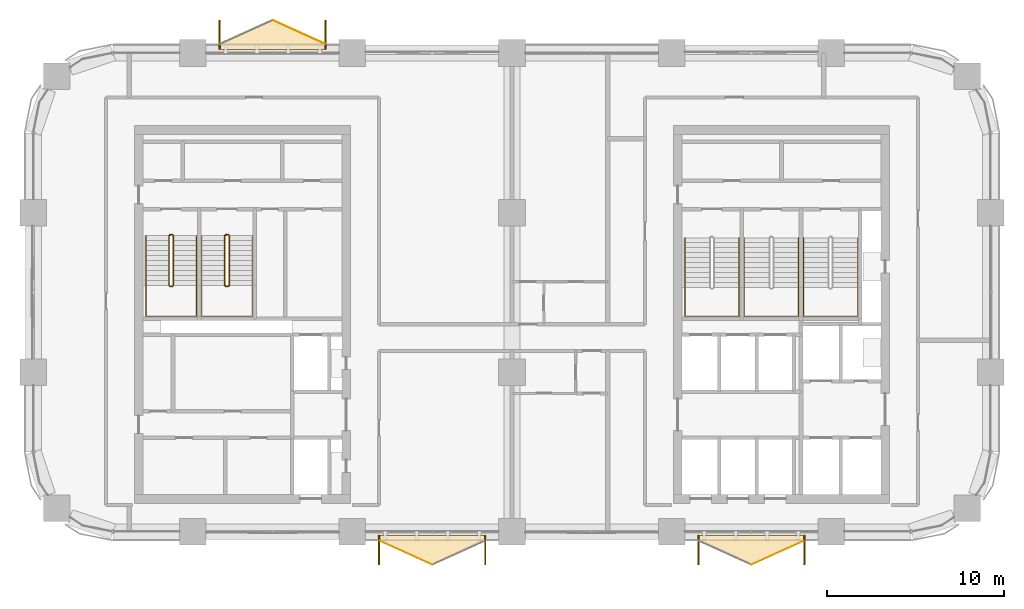
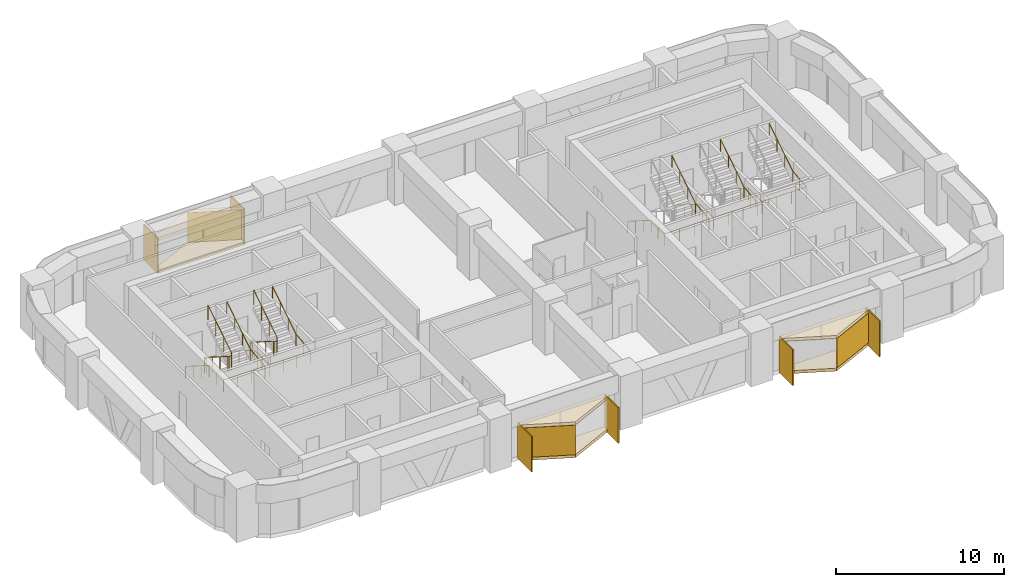
# One storey, part 12 of 13: 15 coverings, 7 railings.
"""IFC4 building model written with IfcOpenShell, lengths in metres."""

import ifcopenshell
import ifcopenshell.guid

model = None  # the IFC model being written
_history = None  # IfcOwnerHistory: only IFC2X3 demands one
_inside = {}  # id of a spatial element -> (the spatial element, [elements in it])
_under = {}  # id of a project, library or spatial element -> (it, [spatial elements below it])
_declared = {}  # id of a project -> (the project, [libraries it declares])
_typed = {}  # id of a type object -> (the type object, [elements of that type])
_made_of = {}  # id of a material, layer set ... -> (it, [elements and type objects made of it])


def new_model(schema):
    """Start an empty IFC model of exactly this schema.

    Asked for "IFC4X3", IfcOpenShell would pick the latest addendum, in which some entities
    have other attributes; the version numbers below select the first issue.
    IFC2X3 requires an IfcOwnerHistory on every rooted entity: one is made here for all.
    """
    global model, _history
    if schema == "IFC4X3":
        model = ifcopenshell.file(schema_version=(4, 3, 0, 0))
    else:
        model = ifcopenshell.file(schema=schema)
    _inside.clear()
    _under.clear()
    _declared.clear()
    _typed.clear()
    _made_of.clear()
    _history = None
    if model.schema == "IFC2X3":
        org = make("IfcOrganization", Name="unknown")
        user = make(
            "IfcPersonAndOrganization",
            ThePerson=make("IfcPerson", FamilyName="unknown"),
            TheOrganization=org,
        )
        app = make(
            "IfcApplication",
            ApplicationDeveloper=org,
            Version="unknown",
            ApplicationFullName="unknown",
            ApplicationIdentifier="unknown",
        )
        _history = make(
            "IfcOwnerHistory",
            OwningUser=user,
            OwningApplication=app,
            ChangeAction="ADDED",
            CreationDate=0,
        )
    return model


def make(cls, **values):
    """One entity of the class cls with the attributes given. An attribute that is None is left unset."""
    return model.create_entity(
        cls, **{name: value for name, value in values.items() if value is not None}
    )


def rooted(cls, **values):
    """An entity with a GlobalId (a new one), such as an element, a storey or a relation."""
    return make(cls, GlobalId=ifcopenshell.guid.new(), OwnerHistory=_history, **values)


def si_unit(unit_type, name, prefix=None):
    """IfcSIUnit, for example si_unit("LENGTHUNIT", "METRE", prefix="MILLI")."""
    return make("IfcSIUnit", UnitType=unit_type, Prefix=prefix, Name=name)


def assignment(units):
    """IfcUnitAssignment: the units of a project."""
    return None if units is None else make("IfcUnitAssignment", Units=units)


def point(xyz):
    """IfcCartesianPoint."""
    return None if xyz is None else make("IfcCartesianPoint", Coordinates=xyz)


def direction(xyz):
    """IfcDirection."""
    return None if xyz is None else make("IfcDirection", DirectionRatios=xyz)


def frame(location, z_axis=None, x_axis=None):
    """IfcAxis2Placement3D, a coordinate frame: its origin and axes. An axis left out is left unset."""
    return make(
        "IfcAxis2Placement3D",
        Location=point(location),
        Axis=direction(z_axis),
        RefDirection=direction(x_axis),
    )


def frame_2d(location, x_axis=None):
    """IfcAxis2Placement2D, a coordinate frame in the plane: its origin and x axis."""
    return make(
        "IfcAxis2Placement2D", Location=point(location), RefDirection=direction(x_axis)
    )


def origin():
    """The frame at (0, 0, 0) with its axes left unset."""
    return frame((0.0, 0.0, 0.0))


def origin_2d():
    """The frame at (0, 0) in the plane with its x axis left unset."""
    return frame_2d((0.0, 0.0))


def place(relative_to, where):
    """IfcLocalPlacement: puts the frame where relative to a parent placement (None: the world)."""
    return make(
        "IfcLocalPlacement", PlacementRelTo=relative_to, RelativePlacement=where
    )


def context(
    kind, dimensions, precision=None, world=None, true_north=None, identifier=None
):
    """IfcGeometricRepresentationContext, for example the 3D "Model" context."""
    return make(
        "IfcGeometricRepresentationContext",
        ContextIdentifier=identifier,
        ContextType=kind,
        CoordinateSpaceDimension=dimensions,
        Precision=precision,
        WorldCoordinateSystem=world,
        TrueNorth=true_north,
    )


def subcontext(parent, identifier, kind, view, scale=None):
    """IfcGeometricRepresentationSubContext, for example "Body" below "Model"."""
    return make(
        "IfcGeometricRepresentationSubContext",
        ContextIdentifier=identifier,
        ContextType=kind,
        ParentContext=parent,
        TargetScale=scale,
        TargetView=view,
    )


def project(units=None, contexts=None):
    """IfcProject with its units and contexts."""
    return rooted(
        "IfcProject",
        Name="project",
        RepresentationContexts=contexts,
        UnitsInContext=assignment(units),
    )


def spatial(cls, under=None, at=None, **own):
    """A site, building, storey or space (cls), placed at a placement, below another one or the project."""
    s = rooted(cls, ObjectPlacement=at, **own)
    if under is not None:
        _under.setdefault(under.id(), (under, []))[1].append(s)
    return s


def polyline(points):
    """IfcPolyline through the points."""
    return make("IfcPolyline", Points=[point(p) for p in points])


def profile(cls, at=None, kind="AREA", **sizes):
    """A parametric profile (cls). Its sizes go by their IFC names, for example OverallWidth=200.0."""
    return make(cls, ProfileType=kind, Position=at, **sizes)


def rectangle(**sizes):
    """IfcRectangleProfileDef."""
    return profile("IfcRectangleProfileDef", **sizes)


def circle(**sizes):
    """IfcCircleProfileDef."""
    return profile("IfcCircleProfileDef", **sizes)


def outline(outer, holes=None, kind="AREA"):
    """IfcArbitraryClosedProfileDef: a profile drawn as a closed curve; with holes, ...WithVoids."""
    if holes is None:
        return make("IfcArbitraryClosedProfileDef", ProfileType=kind, OuterCurve=outer)
    return make(
        "IfcArbitraryProfileDefWithVoids",
        ProfileType=kind,
        OuterCurve=outer,
        InnerCurves=holes,
    )


def extrude(swept, where, along, depth):
    """IfcExtrudedAreaSolid: the profile swept, set in the frame where, extruded along a direction by depth."""
    return make(
        "IfcExtrudedAreaSolid",
        SweptArea=swept,
        Position=where,
        ExtrudedDirection=direction(along),
        Depth=depth,
    )


def shape(context_of_items, identifier, shape_type, items):
    """IfcShapeRepresentation: the items that make up one representation, for example the "Body"."""
    return make(
        "IfcShapeRepresentation",
        ContextOfItems=context_of_items,
        RepresentationIdentifier=identifier,
        RepresentationType=shape_type,
        Items=items,
    )


def material(Name=None, Category=None):
    """IfcMaterial."""
    return make("IfcMaterial", Name=Name, Category=Category)


def layer(
    of_material, thickness, ventilated=None, Name=None, Category=None, Priority=None
):
    """IfcMaterialLayer: one layer of a wall or slab, of a material (None: an air gap)."""
    return make(
        "IfcMaterialLayer",
        Material=of_material,
        LayerThickness=thickness,
        IsVentilated=ventilated,
        Name=Name,
        Category=Category,
        Priority=Priority,
    )


def layer_set(layers, Name=None):
    """IfcMaterialLayerSet."""
    return make("IfcMaterialLayerSet", MaterialLayers=layers, LayerSetName=Name)


def made_of(thing, what):
    """Note that an element or type object is made of a material, layer set ...; save() writes the relation."""
    if what is not None:
        _made_of.setdefault(what.id(), (what, []))[1].append(thing)
    return thing


def type_object(cls, material=None, **own):
    """A type object (cls), such as IfcWallType, which elements share."""
    return made_of(rooted(cls, **own), material)


def element(
    cls,
    number,
    at=None,
    inside=None,
    cuts=None,
    type_object=None,
    material=None,
    context=None,
    identifier="Body",
    shape_type=None,
    held_by="IfcProductDefinitionShape",
    body=None,
    shapes=None,
    **own,
):
    """One element of the class cls, such as IfcWall. Its Tag is "e" and its number.

    at: its placement. inside: the storey or other place that contains it. cuts: it is an
    opening in that element (IfcRelVoidsElement). A single representation is given by context,
    identifier, shape_type and body (its items); several are given by shapes. held_by: the class
    of the entity that holds the representations. save() writes the other relations.
    """
    e = rooted(cls, Tag="e%d" % number, ObjectPlacement=at, **own)
    if body is not None:
        shapes = [shape(context, identifier, shape_type, body)]
    if shapes is not None:
        e.Representation = make(held_by, Representations=shapes)
    if inside is not None:
        _inside.setdefault(inside.id(), (inside, []))[1].append(e)
    if cuts is not None:
        rooted(
            "IfcRelVoidsElement", RelatingBuildingElement=cuts, RelatedOpeningElement=e
        )
    if type_object is not None:
        _typed.setdefault(type_object.id(), (type_object, []))[1].append(e)
    return made_of(e, material)


def aggregate(whole, parts):
    """IfcRelAggregates: a whole, such as a stair, and the parts it consists of."""
    return rooted("IfcRelAggregates", RelatingObject=whole, RelatedObjects=parts)


def save(model, path):
    """Write the relations noted so far, then the file.

    IfcRelAggregates (storeys below a building ...), IfcRelContainedInSpatialStructure (elements
    in a storey), IfcRelDefinesByType, IfcRelAssociatesMaterial and IfcRelDeclares: one each for
    every whole, place, type object, material and project.
    """
    for whole, parts in _under.values():
        aggregate(whole, parts)
    for where, things in _inside.values():
        rooted(
            "IfcRelContainedInSpatialStructure",
            RelatedElements=things,
            RelatingStructure=where,
        )
    for kind, things in _typed.values():
        rooted("IfcRelDefinesByType", RelatedObjects=things, RelatingType=kind)
    for what, things in _made_of.values():
        rooted("IfcRelAssociatesMaterial", RelatedObjects=things, RelatingMaterial=what)
    for by, libraries in _declared.values():
        rooted("IfcRelDeclares", RelatingContext=by, RelatedDefinitions=libraries)
    model.write(path)


model = new_model("IFC4")

# Units and contexts
model_context = context("Model", 3, precision=1e-05, world=origin(), true_north=direction((0.0, 1.0)))
body_context = subcontext(model_context, "Body", "Model", "MODEL_VIEW")
ifc_project = project(units=[si_unit("LENGTHUNIT", "METRE"), si_unit("AREAUNIT", "SQUARE_METRE"), si_unit("VOLUMEUNIT", "CUBIC_METRE"), si_unit("PLANEANGLEUNIT", "RADIAN"), si_unit("MASSUNIT", "GRAM", prefix="KILO")], contexts=[model_context])

# Site, building, storey
site_placement = place(None, origin())
site = spatial("IfcSite", under=ifc_project, at=site_placement, CompositionType="ELEMENT")
building_placement = place(site_placement, origin())
building = spatial("IfcBuilding", under=site, at=building_placement, Name="Tessera Arch", CompositionType="ELEMENT")
storey_placement = place(building_placement, frame((0.0, 0.0, 189.5)))
storey = spatial("IfcBuildingStorey", under=building, at=storey_placement, Name="L45", CompositionType="ELEMENT", Elevation=189.5)

# Railings
ifc_material_1 = material(Name="Painted steel balustrade", Category="steel")
railing_type_1 = type_object("IfcRailingType", Name="Stair guard 1100", PredefinedType="GUARDRAIL", material=ifc_material_1)
railing_1_placement = place(storey_placement, frame((7.699951171875, 43.75, 0.0)))
element("IfcRailing", 1, at=railing_1_placement, inside=storey, type_object=railing_type_1, Name="L45 S2a stair guard 1", PredefinedType="GUARDRAIL", context=body_context, shape_type="SweptSolid", body=[
    extrude(circle(Radius=0.02392578125, at=origin_2d()), frame((-0.00390625, 0.0, 1.076171875), z_axis=(1.0, 0.0, 0.0), x_axis=(0.0, 1.0, 0.0)), (0.0, 0.0, 1.0), 0.158203125),
    extrude(circle(Radius=0.02392578125, at=origin_2d()), frame((0.153076171875, 0.000732421875, 1.073486328125), z_axis=(-0.735936453418, -0.183984113355, 0.651573006319), x_axis=(0.242535625036, -0.970142500145, 0.0)), (0.0, 0.0, 1.0), 0.280029296875),
    extrude(circle(Radius=0.02392578125, at=origin_2d()), frame((-0.050048828125, -0.046630859375, 1.251220703125), z_axis=(0.0, -0.844908973607, 0.534910110503), x_axis=(1.0, 0.0, 0.0)), (0.0, 0.0, 1.0), 3.322021484375),
    extrude(circle(Radius=0.02392578125, at=origin_2d()), frame((-0.052978515625, -2.84716796875, 3.02587890625), z_axis=(0.708833529934, -0.705375805398, 0.0), x_axis=(0.705375805398, 0.708833529934, 0.0)), (0.0, 0.0, 1.0), 0.07861328125),
    extrude(circle(Radius=0.02392578125, at=origin_2d()), frame((-0.00390625, -2.89990234375, 3.02587890625), z_axis=(1.0, 0.0, 0.0), x_axis=(0.0, 1.0, 0.0)), (0.0, 0.0, 1.0), 0.158203125),
    extrude(circle(Radius=0.02392578125, at=origin_2d()), frame((0.149169921875, -2.90087890625, 3.022216796875), z_axis=(0.261129318932, 0.261129318932, 0.929313164433), x_axis=(-0.707106781187, 0.707106781187, 0.0)), (0.0, 0.0, 1.0), 0.19873046875),
    extrude(circle(Radius=0.02392578125, at=origin_2d()), frame((0.199951171875, -2.853515625, 3.201171875), z_axis=(0.0, 0.844908973607, 0.534910110503), x_axis=(-1.0, 0.0, 0.0)), (0.0, 0.0, 1.0), 3.322021484375),
    extrude(circle(Radius=0.02099609375, at=origin_2d()), origin(), (0.0, 0.0, 1.0), 1.06396484375),
    extrude(circle(Radius=0.02099609375, at=origin_2d()), frame((0.150146484375, 0.0, 0.0)), (0.0, 0.0, 1.0), 1.06396484375),
    extrude(circle(Radius=0.02099609375, at=origin_2d()), frame((-0.050048828125, -0.050048828125, 0.17724609375)), (0.0, 0.0, 1.0), 1.06396484375),
    extrude(circle(Radius=0.02099609375, at=origin_2d()), frame((-0.050048828125, -0.9833984375, 0.76806640625)), (0.0, 0.0, 1.0), 1.06396484375),
    extrude(circle(Radius=0.02099609375, at=origin_2d()), frame((-0.050048828125, -1.916748046875, 1.359130859375)), (0.0, 0.0, 1.0), 1.06396484375),
    extrude(circle(Radius=0.02099609375, at=origin_2d()), frame((-0.050048828125, -2.85009765625, 1.949951171875)), (0.0, 0.0, 1.0), 1.06396484375),
    extrude(circle(Radius=0.02099609375, at=origin_2d()), frame((0.0, -2.89990234375, 1.949951171875)), (0.0, 0.0, 1.0), 1.06396484375),
    extrude(circle(Radius=0.02099609375, at=origin_2d()), frame((0.150146484375, -2.89990234375, 1.949951171875)), (0.0, 0.0, 1.0), 1.06396484375),
    extrude(circle(Radius=0.02099609375, at=origin_2d()), frame((0.199951171875, -2.85009765625, 2.127197265625)), (0.0, 0.0, 1.0), 1.06396484375),
    extrude(circle(Radius=0.02099609375, at=origin_2d()), frame((0.199951171875, -1.916748046875, 2.718017578125)), (0.0, 0.0, 1.0), 1.06396484375),
    extrude(circle(Radius=0.02099609375, at=origin_2d()), frame((0.199951171875, -0.9833984375, 3.30908203125)), (0.0, 0.0, 1.0), 1.06396484375),
    extrude(circle(Radius=0.02099609375, at=origin_2d()), frame((0.199951171875, -0.050048828125, 3.89990234375)), (0.0, 0.0, 1.0), 1.06396484375),
])
railing_2_placement = place(storey_placement, frame((10.85009765625, 43.75, 0.0)))
element("IfcRailing", 2, at=railing_2_placement, inside=storey, type_object=railing_type_1, Name="L45 S2b stair guard 1", PredefinedType="GUARDRAIL", context=body_context, shape_type="SweptSolid", body=[
    extrude(circle(Radius=0.02392578125, at=origin_2d()), frame((-0.00390625, 0.0, 1.076171875), z_axis=(1.0, 0.0, 0.0), x_axis=(0.0, 1.0, 0.0)), (0.0, 0.0, 1.0), 0.157958984375),
    extrude(circle(Radius=0.02392578125, at=origin_2d()), frame((0.15283203125, 0.000732421875, 1.073486328125), z_axis=(-0.735524641326, -0.184105679453, 0.652003528208), x_axis=(0.242814311512, -0.970072785993, 0.0)), (0.0, 0.0, 1.0), 0.27978515625),
    extrude(circle(Radius=0.02392578125, at=origin_2d()), frame((-0.050048828125, -0.046630859375, 1.251220703125), z_axis=(0.0, -0.844908973607, 0.534910110503), x_axis=(1.0, 0.0, 0.0)), (0.0, 0.0, 1.0), 3.322021484375),
    extrude(circle(Radius=0.02392578125, at=origin_2d()), frame((-0.052978515625, -2.84716796875, 3.02587890625), z_axis=(0.708833529934, -0.705375805398, 0.0), x_axis=(0.705375805398, 0.708833529934, 0.0)), (0.0, 0.0, 1.0), 0.07861328125),
    extrude(circle(Radius=0.02392578125, at=origin_2d()), frame((-0.00390625, -2.89990234375, 3.02587890625), z_axis=(1.0, 0.0, 0.0), x_axis=(0.0, 1.0, 0.0)), (0.0, 0.0, 1.0), 0.157958984375),
    extrude(circle(Radius=0.02392578125, at=origin_2d()), frame((0.14892578125, -2.90087890625, 3.022216796875), z_axis=(0.262321481514, 0.261041864531, 0.929001929653), x_axis=(-0.705375805398, 0.708833529934, 0.0)), (0.0, 0.0, 1.0), 0.19873046875),
    extrude(circle(Radius=0.02392578125, at=origin_2d()), frame((0.199951171875, -2.853515625, 3.201171875), z_axis=(0.0, 0.844908973607, 0.534910110503), x_axis=(-1.0, 0.0, 0.0)), (0.0, 0.0, 1.0), 3.322021484375),
    extrude(circle(Radius=0.02099609375, at=origin_2d()), origin(), (0.0, 0.0, 1.0), 1.06396484375),
    extrude(circle(Radius=0.02099609375, at=origin_2d()), frame((0.14990234375, 0.0, 0.0)), (0.0, 0.0, 1.0), 1.06396484375),
    extrude(circle(Radius=0.02099609375, at=origin_2d()), frame((-0.050048828125, -0.050048828125, 0.17724609375)), (0.0, 0.0, 1.0), 1.06396484375),
    extrude(circle(Radius=0.02099609375, at=origin_2d()), frame((-0.050048828125, -0.9833984375, 0.76806640625)), (0.0, 0.0, 1.0), 1.06396484375),
    extrude(circle(Radius=0.02099609375, at=origin_2d()), frame((-0.050048828125, -1.916748046875, 1.359130859375)), (0.0, 0.0, 1.0), 1.06396484375),
    extrude(circle(Radius=0.02099609375, at=origin_2d()), frame((-0.050048828125, -2.85009765625, 1.949951171875)), (0.0, 0.0, 1.0), 1.06396484375),
    extrude(circle(Radius=0.02099609375, at=origin_2d()), frame((0.0, -2.89990234375, 1.949951171875)), (0.0, 0.0, 1.0), 1.06396484375),
    extrude(circle(Radius=0.02099609375, at=origin_2d()), frame((0.14990234375, -2.89990234375, 1.949951171875)), (0.0, 0.0, 1.0), 1.06396484375),
    extrude(circle(Radius=0.02099609375, at=origin_2d()), frame((0.199951171875, -2.85009765625, 2.127197265625)), (0.0, 0.0, 1.0), 1.06396484375),
    extrude(circle(Radius=0.02099609375, at=origin_2d()), frame((0.199951171875, -1.916748046875, 2.718017578125)), (0.0, 0.0, 1.0), 1.06396484375),
    extrude(circle(Radius=0.02099609375, at=origin_2d()), frame((0.199951171875, -0.9833984375, 3.30908203125)), (0.0, 0.0, 1.0), 1.06396484375),
    extrude(circle(Radius=0.02099609375, at=origin_2d()), frame((0.199951171875, -0.050048828125, 3.89990234375)), (0.0, 0.0, 1.0), 1.06396484375),
])
ifc_material_2 = material(Name="Painted steel handrail", Category="steel")
railing_type_2 = type_object("IfcRailingType", Name="Stair handrail 900", PredefinedType="HANDRAIL", material=ifc_material_2)
railing_3_placement = place(storey_placement, frame((36.75, 43.580078125, 0.17724609375)))
element("IfcRailing", 3, at=railing_3_placement, inside=storey, type_object=railing_type_2, Name="L45 S1a stair handrail", PredefinedType="HANDRAIL", context=body_context, shape_type="SweptSolid", body=[
    extrude(circle(Radius=0.02392578125, at=origin_2d()), frame((0.0, 0.00341796875, 0.873779296875), z_axis=(0.0, -0.844908973607, 0.534910110503), x_axis=(1.0, 0.0, 0.0)), (0.0, 0.0, 1.0), 3.322021484375),
    extrude(circle(Radius=0.02392578125, at=origin_2d()), frame((0.0, -2.796142578125, 2.6484375), z_axis=(0.0, -1.0, 0.0), x_axis=(1.0, 0.0, 0.0)), (0.0, 0.0, 1.0), 1.63818359375),
    extrude(circle(Radius=0.02392578125, at=origin_2d()), frame((-0.00390625, -4.43017578125, 2.6484375), z_axis=(1.0, 0.0, 0.0), x_axis=(0.0, 1.0, 0.0)), (0.0, 0.0, 1.0), 3.05810546875),
    extrude(circle(Radius=0.02392578125, at=origin_2d()), frame((3.050048828125, -4.43408203125, 2.648193359375), z_axis=(0.0, 0.994140637614, 0.108094369164), x_axis=(-1.0, 0.0, 0.0)), (0.0, 0.0, 1.0), 1.647705078125),
    extrude(circle(Radius=0.02392578125, at=origin_2d()), frame((3.050048828125, -2.803466796875, 2.82373046875), z_axis=(0.0, 0.844908973607, 0.534910110503), x_axis=(-1.0, 0.0, 0.0)), (0.0, 0.0, 1.0), 3.322021484375),
    extrude(circle(Radius=0.02099609375, at=origin_2d()), origin(), (0.0, 0.0, 1.0), 0.86376953125),
    extrude(circle(Radius=0.02099609375, at=origin_2d()), frame((0.0, -0.933349609375, 0.5908203125)), (0.0, 0.0, 1.0), 0.86376953125),
    extrude(circle(Radius=0.02099609375, at=origin_2d()), frame((0.0, -1.86669921875, 1.181884765625)), (0.0, 0.0, 1.0), 0.86376953125),
    extrude(circle(Radius=0.02099609375, at=origin_2d()), frame((0.0, -2.800048828125, 1.772705078125)), (0.0, 0.0, 1.0), 0.86376953125),
    extrude(circle(Radius=0.02099609375, at=origin_2d()), frame((0.0, -3.615234375, 1.772705078125)), (0.0, 0.0, 1.0), 0.86376953125),
    extrude(circle(Radius=0.02099609375, at=origin_2d()), frame((0.0, -4.43017578125, 1.772705078125)), (0.0, 0.0, 1.0), 0.86376953125),
    extrude(circle(Radius=0.02099609375, at=origin_2d()), frame((1.0166015625, -4.43017578125, 1.772705078125)), (0.0, 0.0, 1.0), 0.86376953125),
    extrude(circle(Radius=0.02099609375, at=origin_2d()), frame((2.033447265625, -4.43017578125, 1.772705078125)), (0.0, 0.0, 1.0), 0.86376953125),
    extrude(circle(Radius=0.02099609375, at=origin_2d()), frame((3.050048828125, -4.43017578125, 1.772705078125)), (0.0, 0.0, 1.0), 0.86376953125),
    extrude(circle(Radius=0.02099609375, at=origin_2d()), frame((3.050048828125, -3.615234375, 1.861328125)), (0.0, 0.0, 1.0), 0.86376953125),
    extrude(circle(Radius=0.02099609375, at=origin_2d()), frame((3.050048828125, -2.800048828125, 1.949951171875)), (0.0, 0.0, 1.0), 0.86376953125),
    extrude(circle(Radius=0.02099609375, at=origin_2d()), frame((3.050048828125, -1.86669921875, 2.540771484375)), (0.0, 0.0, 1.0), 0.86376953125),
    extrude(circle(Radius=0.02099609375, at=origin_2d()), frame((3.050048828125, -0.933349609375, 3.1318359375)), (0.0, 0.0, 1.0), 0.86376953125),
    extrude(circle(Radius=0.02099609375, at=origin_2d()), frame((3.050048828125, 0.0, 3.72265625)), (0.0, 0.0, 1.0), 0.86376953125),
])
railing_4_placement = place(storey_placement, frame((40.10009765625, 43.580078125, 0.17724609375)))
element("IfcRailing", 4, at=railing_4_placement, inside=storey, type_object=railing_type_2, Name="L45 S1b stair handrail", PredefinedType="HANDRAIL", context=body_context, shape_type="SweptSolid", body=[
    extrude(circle(Radius=0.02392578125, at=origin_2d()), frame((0.0, 0.00341796875, 0.873779296875), z_axis=(0.0, -0.844908973607, 0.534910110503), x_axis=(1.0, 0.0, 0.0)), (0.0, 0.0, 1.0), 3.322021484375),
    extrude(circle(Radius=0.02392578125, at=origin_2d()), frame((0.0, -2.796142578125, 2.6484375), z_axis=(0.0, -1.0, 0.0), x_axis=(1.0, 0.0, 0.0)), (0.0, 0.0, 1.0), 1.63818359375),
    extrude(circle(Radius=0.02392578125, at=origin_2d()), frame((-0.00390625, -4.43017578125, 2.6484375), z_axis=(1.0, 0.0, 0.0), x_axis=(0.0, 1.0, 0.0)), (0.0, 0.0, 1.0), 3.057861328125),
    extrude(circle(Radius=0.02392578125, at=origin_2d()), frame((3.0498046875, -4.43408203125, 2.648193359375), z_axis=(0.0, 0.994140637614, 0.108094369164), x_axis=(-1.0, 0.0, 0.0)), (0.0, 0.0, 1.0), 1.647705078125),
    extrude(circle(Radius=0.02392578125, at=origin_2d()), frame((3.0498046875, -2.803466796875, 2.82373046875), z_axis=(0.0, 0.844908973607, 0.534910110503), x_axis=(-1.0, 0.0, 0.0)), (0.0, 0.0, 1.0), 3.322021484375),
    extrude(circle(Radius=0.02099609375, at=origin_2d()), origin(), (0.0, 0.0, 1.0), 0.86376953125),
    extrude(circle(Radius=0.02099609375, at=origin_2d()), frame((0.0, -0.933349609375, 0.5908203125)), (0.0, 0.0, 1.0), 0.86376953125),
    extrude(circle(Radius=0.02099609375, at=origin_2d()), frame((0.0, -1.86669921875, 1.181884765625)), (0.0, 0.0, 1.0), 0.86376953125),
    extrude(circle(Radius=0.02099609375, at=origin_2d()), frame((0.0, -2.800048828125, 1.772705078125)), (0.0, 0.0, 1.0), 0.86376953125),
    extrude(circle(Radius=0.02099609375, at=origin_2d()), frame((0.0, -3.615234375, 1.772705078125)), (0.0, 0.0, 1.0), 0.86376953125),
    extrude(circle(Radius=0.02099609375, at=origin_2d()), frame((0.0, -4.43017578125, 1.772705078125)), (0.0, 0.0, 1.0), 0.86376953125),
    extrude(circle(Radius=0.02099609375, at=origin_2d()), frame((1.0166015625, -4.43017578125, 1.772705078125)), (0.0, 0.0, 1.0), 0.86376953125),
    extrude(circle(Radius=0.02099609375, at=origin_2d()), frame((2.033203125, -4.43017578125, 1.772705078125)), (0.0, 0.0, 1.0), 0.86376953125),
    extrude(circle(Radius=0.02099609375, at=origin_2d()), frame((3.0498046875, -4.43017578125, 1.772705078125)), (0.0, 0.0, 1.0), 0.86376953125),
    extrude(circle(Radius=0.02099609375, at=origin_2d()), frame((3.0498046875, -3.615234375, 1.861328125)), (0.0, 0.0, 1.0), 0.86376953125),
    extrude(circle(Radius=0.02099609375, at=origin_2d()), frame((3.0498046875, -2.800048828125, 1.949951171875)), (0.0, 0.0, 1.0), 0.86376953125),
    extrude(circle(Radius=0.02099609375, at=origin_2d()), frame((3.0498046875, -1.86669921875, 2.540771484375)), (0.0, 0.0, 1.0), 0.86376953125),
    extrude(circle(Radius=0.02099609375, at=origin_2d()), frame((3.0498046875, -0.933349609375, 3.1318359375)), (0.0, 0.0, 1.0), 0.86376953125),
    extrude(circle(Radius=0.02099609375, at=origin_2d()), frame((3.0498046875, 0.0, 3.72265625)), (0.0, 0.0, 1.0), 0.86376953125),
])
railing_5_placement = place(storey_placement, frame((43.449951171875, 43.580078125, 0.17724609375)))
element("IfcRailing", 5, at=railing_5_placement, inside=storey, type_object=railing_type_2, Name="L45 S1c stair handrail", PredefinedType="HANDRAIL", context=body_context, shape_type="SweptSolid", body=[
    extrude(circle(Radius=0.02392578125, at=origin_2d()), frame((0.0, 0.00341796875, 0.873779296875), z_axis=(0.0, -0.844908973607, 0.534910110503), x_axis=(1.0, 0.0, 0.0)), (0.0, 0.0, 1.0), 3.322021484375),
    extrude(circle(Radius=0.02392578125, at=origin_2d()), frame((0.0, -2.796142578125, 2.6484375), z_axis=(0.0, -1.0, 0.0), x_axis=(1.0, 0.0, 0.0)), (0.0, 0.0, 1.0), 1.63818359375),
    extrude(circle(Radius=0.02392578125, at=origin_2d()), frame((-0.00390625, -4.43017578125, 2.6484375), z_axis=(1.0, 0.0, 0.0), x_axis=(0.0, 1.0, 0.0)), (0.0, 0.0, 1.0), 3.05810546875),
    extrude(circle(Radius=0.02392578125, at=origin_2d()), frame((3.050048828125, -4.43408203125, 2.648193359375), z_axis=(0.0, 0.994140637614, 0.108094369164), x_axis=(-1.0, 0.0, 0.0)), (0.0, 0.0, 1.0), 1.647705078125),
    extrude(circle(Radius=0.02392578125, at=origin_2d()), frame((3.050048828125, -2.803466796875, 2.82373046875), z_axis=(0.0, 0.844908973607, 0.534910110503), x_axis=(-1.0, 0.0, 0.0)), (0.0, 0.0, 1.0), 3.322021484375),
    extrude(circle(Radius=0.02099609375, at=origin_2d()), origin(), (0.0, 0.0, 1.0), 0.86376953125),
    extrude(circle(Radius=0.02099609375, at=origin_2d()), frame((0.0, -0.933349609375, 0.5908203125)), (0.0, 0.0, 1.0), 0.86376953125),
    extrude(circle(Radius=0.02099609375, at=origin_2d()), frame((0.0, -1.86669921875, 1.181884765625)), (0.0, 0.0, 1.0), 0.86376953125),
    extrude(circle(Radius=0.02099609375, at=origin_2d()), frame((0.0, -2.800048828125, 1.772705078125)), (0.0, 0.0, 1.0), 0.86376953125),
    extrude(circle(Radius=0.02099609375, at=origin_2d()), frame((0.0, -3.615234375, 1.772705078125)), (0.0, 0.0, 1.0), 0.86376953125),
    extrude(circle(Radius=0.02099609375, at=origin_2d()), frame((0.0, -4.43017578125, 1.772705078125)), (0.0, 0.0, 1.0), 0.86376953125),
    extrude(circle(Radius=0.02099609375, at=origin_2d()), frame((1.0166015625, -4.43017578125, 1.772705078125)), (0.0, 0.0, 1.0), 0.86376953125),
    extrude(circle(Radius=0.02099609375, at=origin_2d()), frame((2.033447265625, -4.43017578125, 1.772705078125)), (0.0, 0.0, 1.0), 0.86376953125),
    extrude(circle(Radius=0.02099609375, at=origin_2d()), frame((3.050048828125, -4.43017578125, 1.772705078125)), (0.0, 0.0, 1.0), 0.86376953125),
    extrude(circle(Radius=0.02099609375, at=origin_2d()), frame((3.050048828125, -3.615234375, 1.861328125)), (0.0, 0.0, 1.0), 0.86376953125),
    extrude(circle(Radius=0.02099609375, at=origin_2d()), frame((3.050048828125, -2.800048828125, 1.949951171875)), (0.0, 0.0, 1.0), 0.86376953125),
    extrude(circle(Radius=0.02099609375, at=origin_2d()), frame((3.050048828125, -1.86669921875, 2.540771484375)), (0.0, 0.0, 1.0), 0.86376953125),
    extrude(circle(Radius=0.02099609375, at=origin_2d()), frame((3.050048828125, -0.933349609375, 3.1318359375)), (0.0, 0.0, 1.0), 0.86376953125),
    extrude(circle(Radius=0.02099609375, at=origin_2d()), frame((3.050048828125, 0.0, 3.72265625)), (0.0, 0.0, 1.0), 0.86376953125),
])
railing_6_placement = place(storey_placement, frame((6.35009765625, 43.699951171875, 0.17724609375)))
element("IfcRailing", 6, at=railing_6_placement, inside=storey, type_object=railing_type_2, Name="L45 S2a stair handrail", PredefinedType="HANDRAIL", context=body_context, shape_type="SweptSolid", body=[
    extrude(circle(Radius=0.02392578125, at=origin_2d()), frame((0.0, 0.00341796875, 0.873779296875), z_axis=(0.0, -0.844908973607, 0.534910110503), x_axis=(1.0, 0.0, 0.0)), (0.0, 0.0, 1.0), 3.322021484375),
    extrude(circle(Radius=0.02392578125, at=origin_2d()), frame((0.0, -2.796142578125, 2.6484375), z_axis=(0.0, -1.0, 0.0), x_axis=(1.0, 0.0, 0.0)), (0.0, 0.0, 1.0), 1.758056640625),
    extrude(circle(Radius=0.02392578125, at=origin_2d()), frame((-0.00390625, -4.550048828125, 2.6484375), z_axis=(1.0, 0.0, 0.0), x_axis=(0.0, 1.0, 0.0)), (0.0, 0.0, 1.0), 2.85791015625),
    extrude(circle(Radius=0.02392578125, at=origin_2d()), frame((2.849853515625, -4.553955078125, 2.648193359375), z_axis=(0.0, 0.994909956378, 0.100767944801), x_axis=(-1.0, 0.0, 0.0)), (0.0, 0.0, 1.0), 1.766845703125),
    extrude(circle(Radius=0.02392578125, at=origin_2d()), frame((2.849853515625, -2.803466796875, 2.82373046875), z_axis=(0.0, 0.844908973607, 0.534910110503), x_axis=(-1.0, 0.0, 0.0)), (0.0, 0.0, 1.0), 3.322021484375),
    extrude(circle(Radius=0.02099609375, at=origin_2d()), origin(), (0.0, 0.0, 1.0), 0.86376953125),
    extrude(circle(Radius=0.02099609375, at=origin_2d()), frame((0.0, -0.933349609375, 0.5908203125)), (0.0, 0.0, 1.0), 0.86376953125),
    extrude(circle(Radius=0.02099609375, at=origin_2d()), frame((0.0, -1.86669921875, 1.181884765625)), (0.0, 0.0, 1.0), 0.86376953125),
    extrude(circle(Radius=0.02099609375, at=origin_2d()), frame((0.0, -2.800048828125, 1.772705078125)), (0.0, 0.0, 1.0), 0.86376953125),
    extrude(circle(Radius=0.02099609375, at=origin_2d()), frame((0.0, -3.675048828125, 1.772705078125)), (0.0, 0.0, 1.0), 0.86376953125),
    extrude(circle(Radius=0.02099609375, at=origin_2d()), frame((0.0, -4.550048828125, 1.772705078125)), (0.0, 0.0, 1.0), 0.86376953125),
    extrude(circle(Radius=0.02099609375, at=origin_2d()), frame((0.949951171875, -4.550048828125, 1.772705078125)), (0.0, 0.0, 1.0), 0.86376953125),
    extrude(circle(Radius=0.02099609375, at=origin_2d()), frame((1.89990234375, -4.550048828125, 1.772705078125)), (0.0, 0.0, 1.0), 0.86376953125),
    extrude(circle(Radius=0.02099609375, at=origin_2d()), frame((2.849853515625, -4.550048828125, 1.772705078125)), (0.0, 0.0, 1.0), 0.86376953125),
    extrude(circle(Radius=0.02099609375, at=origin_2d()), frame((2.849853515625, -3.675048828125, 1.861328125)), (0.0, 0.0, 1.0), 0.86376953125),
    extrude(circle(Radius=0.02099609375, at=origin_2d()), frame((2.849853515625, -2.800048828125, 1.949951171875)), (0.0, 0.0, 1.0), 0.86376953125),
    extrude(circle(Radius=0.02099609375, at=origin_2d()), frame((2.849853515625, -1.86669921875, 2.540771484375)), (0.0, 0.0, 1.0), 0.86376953125),
    extrude(circle(Radius=0.02099609375, at=origin_2d()), frame((2.849853515625, -0.933349609375, 3.1318359375)), (0.0, 0.0, 1.0), 0.86376953125),
    extrude(circle(Radius=0.02099609375, at=origin_2d()), frame((2.849853515625, 0.0, 3.72265625)), (0.0, 0.0, 1.0), 0.86376953125),
])
railing_7_placement = place(storey_placement, frame((9.5, 43.699951171875, 0.17724609375)))
element("IfcRailing", 7, at=railing_7_placement, inside=storey, type_object=railing_type_2, Name="L45 S2b stair handrail", PredefinedType="HANDRAIL", context=body_context, shape_type="SweptSolid", body=[
    extrude(circle(Radius=0.02392578125, at=origin_2d()), frame((0.0, 0.00341796875, 0.873779296875), z_axis=(0.0, -0.844908973607, 0.534910110503), x_axis=(1.0, 0.0, 0.0)), (0.0, 0.0, 1.0), 3.322021484375),
    extrude(circle(Radius=0.02392578125, at=origin_2d()), frame((0.0, -2.796142578125, 2.6484375), z_axis=(0.0, -1.0, 0.0), x_axis=(1.0, 0.0, 0.0)), (0.0, 0.0, 1.0), 1.758056640625),
    extrude(circle(Radius=0.02392578125, at=origin_2d()), frame((-0.00390625, -4.550048828125, 2.6484375), z_axis=(1.0, 0.0, 0.0), x_axis=(0.0, 1.0, 0.0)), (0.0, 0.0, 1.0), 2.858154296875),
    extrude(circle(Radius=0.02392578125, at=origin_2d()), frame((2.85009765625, -4.553955078125, 2.648193359375), z_axis=(0.0, 0.994909956378, 0.100767944801), x_axis=(-1.0, 0.0, 0.0)), (0.0, 0.0, 1.0), 1.766845703125),
    extrude(circle(Radius=0.02392578125, at=origin_2d()), frame((2.85009765625, -2.803466796875, 2.82373046875), z_axis=(0.0, 0.844908973607, 0.534910110503), x_axis=(-1.0, 0.0, 0.0)), (0.0, 0.0, 1.0), 3.322021484375),
    extrude(circle(Radius=0.02099609375, at=origin_2d()), origin(), (0.0, 0.0, 1.0), 0.86376953125),
    extrude(circle(Radius=0.02099609375, at=origin_2d()), frame((0.0, -0.933349609375, 0.5908203125)), (0.0, 0.0, 1.0), 0.86376953125),
    extrude(circle(Radius=0.02099609375, at=origin_2d()), frame((0.0, -1.86669921875, 1.181884765625)), (0.0, 0.0, 1.0), 0.86376953125),
    extrude(circle(Radius=0.02099609375, at=origin_2d()), frame((0.0, -2.800048828125, 1.772705078125)), (0.0, 0.0, 1.0), 0.86376953125),
    extrude(circle(Radius=0.02099609375, at=origin_2d()), frame((0.0, -3.675048828125, 1.772705078125)), (0.0, 0.0, 1.0), 0.86376953125),
    extrude(circle(Radius=0.02099609375, at=origin_2d()), frame((0.0, -4.550048828125, 1.772705078125)), (0.0, 0.0, 1.0), 0.86376953125),
    extrude(circle(Radius=0.02099609375, at=origin_2d()), frame((0.949951171875, -4.550048828125, 1.772705078125)), (0.0, 0.0, 1.0), 0.86376953125),
    extrude(circle(Radius=0.02099609375, at=origin_2d()), frame((1.900146484375, -4.550048828125, 1.772705078125)), (0.0, 0.0, 1.0), 0.86376953125),
    extrude(circle(Radius=0.02099609375, at=origin_2d()), frame((2.85009765625, -4.550048828125, 1.772705078125)), (0.0, 0.0, 1.0), 0.86376953125),
    extrude(circle(Radius=0.02099609375, at=origin_2d()), frame((2.85009765625, -3.675048828125, 1.861328125)), (0.0, 0.0, 1.0), 0.86376953125),
    extrude(circle(Radius=0.02099609375, at=origin_2d()), frame((2.85009765625, -2.800048828125, 1.949951171875)), (0.0, 0.0, 1.0), 0.86376953125),
    extrude(circle(Radius=0.02099609375, at=origin_2d()), frame((2.85009765625, -1.86669921875, 2.540771484375)), (0.0, 0.0, 1.0), 0.86376953125),
    extrude(circle(Radius=0.02099609375, at=origin_2d()), frame((2.85009765625, -0.933349609375, 3.1318359375)), (0.0, 0.0, 1.0), 0.86376953125),
    extrude(circle(Radius=0.02099609375, at=origin_2d()), frame((2.85009765625, 0.0, 3.72265625)), (0.0, 0.0, 1.0), 0.86376953125),
])

# Coverings
ifc_material_3 = material(Name="Anodised aluminium pale metal", Category="aluminium")
ifc_layer_1 = layer(ifc_material_3, 0.080078125)
ifc_layer_set_1 = layer_set([ifc_layer_1], Name="Window box cheek")
covering_type_1 = type_object("IfcCoveringType", Name="Window box cheek", PredefinedType="CLADDING", material=ifc_layer_set_1)
covering_1_placement = place(storey_placement, origin())
element("IfcCovering", 8, at=covering_1_placement, inside=storey, type_object=covering_type_1, Name="Window box S27.0/4.0 2x1 cheek", PredefinedType="CLADDING", context=body_context, shape_type="SweptSolid", body=[
    extrude(outline(polyline([(37.469970703125, 25.14990234375), (37.550048828125, 25.14990234375), (37.550048828125, 26.800048828125), (37.469970703125, 26.800048828125), (37.469970703125, 25.14990234375)])), origin(), (0.0, 0.0, 1.0), 2.60009765625),
])
covering_2_placement = place(storey_placement, origin())
element("IfcCovering", 9, at=covering_2_placement, inside=storey, type_object=covering_type_1, Name="Window box S27.0/4.0 2x1 cheek", PredefinedType="CLADDING", context=body_context, shape_type="SweptSolid", body=[
    extrude(outline(polyline([(43.449951171875, 25.14990234375), (43.530029296875, 25.14990234375), (43.530029296875, 26.800048828125), (43.449951171875, 26.800048828125), (43.449951171875, 25.14990234375)])), origin(), (0.0, 0.0, 1.0), 2.60009765625),
])
covering_3_placement = place(storey_placement, origin())
element("IfcCovering", 10, at=covering_3_placement, inside=storey, type_object=covering_type_1, Name="Window box N54.0/4.0 2x1 cheek", PredefinedType="CLADDING", context=body_context, shape_type="SweptSolid", body=[
    extrude(outline(polyline([(16.530029296875, 55.85009765625), (16.449951171875, 55.85009765625), (16.449951171875, 54.199951171875), (16.530029296875, 54.199951171875), (16.530029296875, 55.85009765625)])), origin(), (0.0, 0.0, 1.0), 2.60009765625),
])
covering_4_placement = place(storey_placement, origin())
element("IfcCovering", 11, at=covering_4_placement, inside=storey, type_object=covering_type_1, Name="Window box N54.0/4.0 2x1 cheek", PredefinedType="CLADDING", context=body_context, shape_type="SweptSolid", body=[
    extrude(outline(polyline([(10.550048828125, 55.85009765625), (10.469970703125, 55.85009765625), (10.469970703125, 54.199951171875), (10.550048828125, 54.199951171875), (10.550048828125, 55.85009765625)])), origin(), (0.0, 0.0, 1.0), 2.60009765625),
])
covering_5_placement = place(storey_placement, origin())
element("IfcCovering", 12, at=covering_5_placement, inside=storey, type_object=covering_type_1, Name="Window box S27.0/2.0 2x1 cheek", PredefinedType="CLADDING", context=body_context, shape_type="SweptSolid", body=[
    extrude(outline(polyline([(19.469970703125, 25.14990234375), (19.550048828125, 25.14990234375), (19.550048828125, 26.800048828125), (19.469970703125, 26.800048828125), (19.469970703125, 25.14990234375)])), origin(), (0.0, 0.0, 1.0), 2.60009765625),
])
covering_6_placement = place(storey_placement, origin())
element("IfcCovering", 13, at=covering_6_placement, inside=storey, type_object=covering_type_1, Name="Window box S27.0/2.0 2x1 cheek", PredefinedType="CLADDING", context=body_context, shape_type="SweptSolid", body=[
    extrude(outline(polyline([(25.449951171875, 25.14990234375), (25.530029296875, 25.14990234375), (25.530029296875, 26.800048828125), (25.449951171875, 26.800048828125), (25.449951171875, 25.14990234375)])), origin(), (0.0, 0.0, 1.0), 2.60009765625),
])
ifc_material_4 = material(Name="Anodised aluminium pale metal", Category="aluminium")
ifc_layer_2 = layer(ifc_material_4, 0.219970703125)
ifc_layer_set_2 = layer_set([ifc_layer_2], Name="Window box frame plate pale metal")
covering_type_2 = type_object("IfcCoveringType", Name="Window box frame plate pale metal", PredefinedType="CLADDING", material=ifc_layer_set_2)
covering_7_placement = place(storey_placement, origin())
element("IfcCovering", 14, at=covering_7_placement, inside=storey, type_object=covering_type_2, Name="Window box N54.0/4.0 2x1 floor", PredefinedType="CLADDING", context=body_context, shape_type="SweptSolid", body=[
    extrude(outline(polyline([(16.449951171875, 54.510009765625), (13.5, 55.85009765625), (10.550048828125, 54.510009765625), (10.550048828125, 54.199951171875), (16.449951171875, 54.199951171875), (16.449951171875, 54.510009765625)])), origin(), (0.0, 0.0, 1.0), 0.219970703125),
])
covering_8_placement = place(storey_placement, frame((0.0, 0.0, 2.3798828125)))
element("IfcCovering", 15, at=covering_8_placement, inside=storey, type_object=covering_type_2, Name="Window box N54.0/4.0 2x1 roof", PredefinedType="CLADDING", context=body_context, shape_type="SweptSolid", body=[
    extrude(outline(polyline([(16.449951171875, 54.510009765625), (13.5, 55.85009765625), (10.550048828125, 54.510009765625), (10.550048828125, 54.199951171875), (16.449951171875, 54.199951171875), (16.449951171875, 54.510009765625)])), origin(), (0.0, 0.0, 1.0), 0.22021484375),
])
covering_9_placement = place(storey_placement, origin())
element("IfcCovering", 16, at=covering_9_placement, inside=storey, type_object=covering_type_2, Name="Window box S27.0/2.0 2x1 floor", PredefinedType="CLADDING", context=body_context, shape_type="SweptSolid", body=[
    extrude(outline(polyline([(19.550048828125, 26.489990234375), (22.5, 25.14990234375), (25.449951171875, 26.489990234375), (25.449951171875, 26.800048828125), (19.550048828125, 26.800048828125), (19.550048828125, 26.489990234375)])), origin(), (0.0, 0.0, 1.0), 0.219970703125),
])
covering_10_placement = place(storey_placement, frame((0.0, 0.0, 2.3798828125)))
element("IfcCovering", 17, at=covering_10_placement, inside=storey, type_object=covering_type_2, Name="Window box S27.0/2.0 2x1 roof", PredefinedType="CLADDING", context=body_context, shape_type="SweptSolid", body=[
    extrude(outline(polyline([(19.550048828125, 26.489990234375), (22.5, 25.14990234375), (25.449951171875, 26.489990234375), (25.449951171875, 26.800048828125), (19.550048828125, 26.800048828125), (19.550048828125, 26.489990234375)])), origin(), (0.0, 0.0, 1.0), 0.22021484375),
])
ifc_material_5 = material(Name="Anodised aluminium turquoise", Category="aluminium")
ifc_layer_3 = layer(ifc_material_5, 0.219970703125)
ifc_layer_set_3 = layer_set([ifc_layer_3], Name="Window box frame plate turquoise")
covering_type_3 = type_object("IfcCoveringType", Name="Window box frame plate turquoise", PredefinedType="CLADDING", material=ifc_layer_set_3)
covering_11_placement = place(storey_placement, origin())
element("IfcCovering", 18, at=covering_11_placement, inside=storey, type_object=covering_type_3, Name="Window box S27.0/4.0 2x1 floor", PredefinedType="CLADDING", context=body_context, shape_type="SweptSolid", body=[
    extrude(outline(polyline([(37.550048828125, 26.489990234375), (40.5, 25.14990234375), (43.449951171875, 26.489990234375), (43.449951171875, 26.800048828125), (37.550048828125, 26.800048828125), (37.550048828125, 26.489990234375)])), origin(), (0.0, 0.0, 1.0), 0.219970703125),
])
covering_12_placement = place(storey_placement, frame((0.0, 0.0, 2.3798828125)))
element("IfcCovering", 19, at=covering_12_placement, inside=storey, type_object=covering_type_3, Name="Window box S27.0/4.0 2x1 roof", PredefinedType="CLADDING", context=body_context, shape_type="SweptSolid", body=[
    extrude(outline(polyline([(37.550048828125, 26.489990234375), (40.5, 25.14990234375), (43.449951171875, 26.489990234375), (43.449951171875, 26.800048828125), (37.550048828125, 26.800048828125), (37.550048828125, 26.489990234375)])), origin(), (0.0, 0.0, 1.0), 0.22021484375),
])
ifc_material_6 = material(Name="Anodised aluminium pale metal", Category="aluminium")
ifc_layer_4 = layer(ifc_material_6, 0.028076171875)
ifc_layer_set_4 = layer_set([ifc_layer_4], Name="Window box side panel")
covering_type_4 = type_object("IfcCoveringType", Name="Window box side panel", PredefinedType="CLADDING", material=ifc_layer_set_4)
for number, where, z_axis, x_axis, name in (
    (20, (41.97509765625, 25.820068359375, 0.22021484375), (0.0, 0.0, 1.0), (-0.910472144558, -0.413570397858, 0.0), "Window box S27.0/4.0 2x1 side panel"),
    (21, (14.97509765625, 55.179931640625, 0.22021484375), (0.0, 0.0, 1.0), (-0.910472144558, 0.413570397858, 0.0), "Window box N54.0/4.0 2x1 side panel"),
    (22, (21.02490234375, 25.820068359375, 0.22021484375), (0.0, 0.0, 1.0), (0.910472144558, -0.413570397858, 0.0), "Window box S27.0/2.0 2x1 side panel"),
):
    element("IfcCovering", number, at=place(storey_placement, frame(where, z_axis=z_axis, x_axis=x_axis)), inside=storey, type_object=covering_type_4, Name=name, PredefinedType="CLADDING", context=body_context, shape_type="SweptSolid", body=[
        extrude(rectangle(XDim=3.239990234375, YDim=0.028076171875, at=origin_2d()), origin(), (0.0, 0.0, 1.0), 2.159912109375),
    ])

save(model, "model.ifc")
